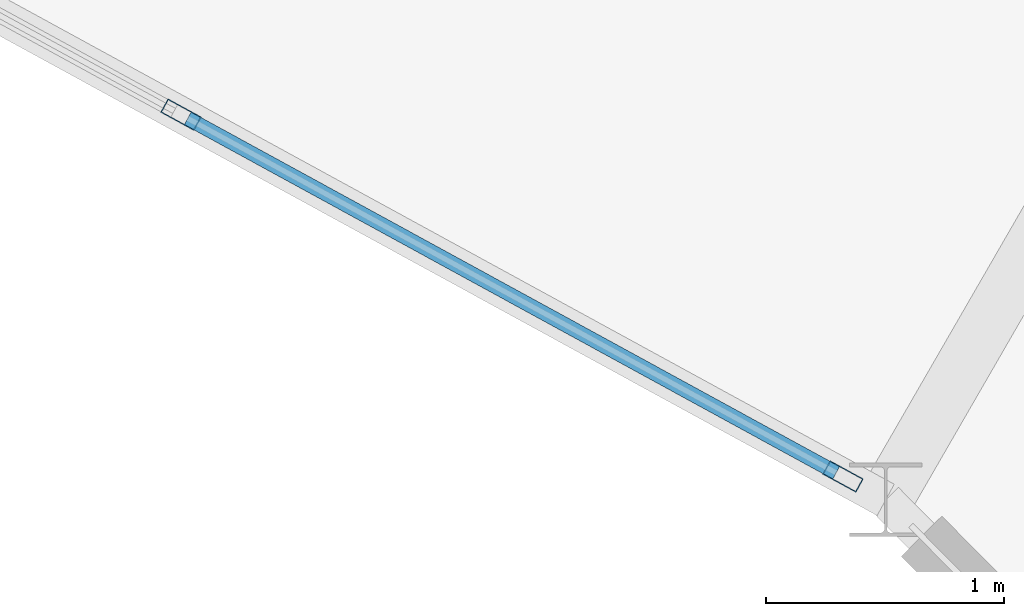
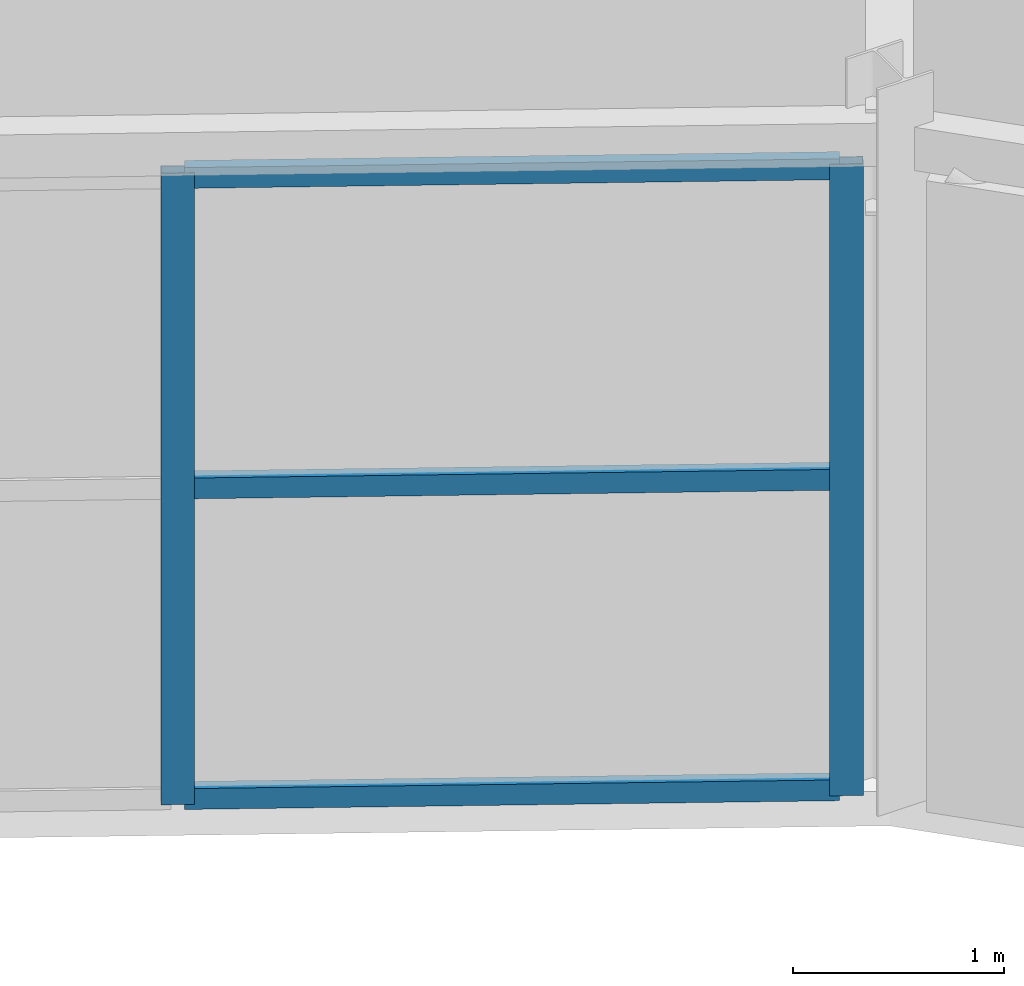
# One storey, part 81 of 148: 5 members, 1 element without a shape of its own.
"""IFC4 building model written with IfcOpenShell, lengths in metres."""

from ifc_helpers import new_model, si_unit, direction, frame, origin, origin_2d, place, context, subcontext, project, spatial, hollow_rectangle, extrude, material, material_profile, profile_set, type_object, element, aggregate, save


model = new_model("IFC4")

# Units and contexts
model_context = context("Model", 3, precision=1e-05, world=origin(), true_north=direction((0.0, 1.0)))
body_context = subcontext(model_context, "Body", "Model", "MODEL_VIEW")
ifc_project = project(units=[si_unit("LENGTHUNIT", "METRE"), si_unit("AREAUNIT", "SQUARE_METRE"), si_unit("VOLUMEUNIT", "CUBIC_METRE"), si_unit("PLANEANGLEUNIT", "RADIAN"), si_unit("MASSUNIT", "GRAM", prefix="KILO")], contexts=[model_context])

# Site, building, storey
site_placement = place(None, origin())
site = spatial("IfcSite", under=ifc_project, at=site_placement, CompositionType="ELEMENT")
building_placement = place(site_placement, origin())
building = spatial("IfcBuilding", under=site, at=building_placement, Name="Karori Crest Natural Sciences Institute", CompositionType="ELEMENT")
storey_placement = place(building_placement, frame((0.0, 0.0, 4.89990234375)))
storey = spatial("IfcBuildingStorey", under=building, at=storey_placement, Name="L01", CompositionType="ELEMENT", Elevation=4.89990234375)

# Curtain wall, members
ifc_material = material(Name="Anodised architectural aluminium 6063-T6", Category="aluminium")
curtain_wall_type = type_object("IfcCurtainWallType", Name="CWT-15", PredefinedType="NOTDEFINED", material=ifc_material)
curtain_wall_placement = place(storey_placement, origin())
curtain_wall = element("IfcCurtainWall", 1, at=curtain_wall_placement, inside=storey, type_object=curtain_wall_type, Name="Curtain wall CW-0037", PredefinedType="NOTDEFINED")
ifc_material_profile_1 = material_profile(ifc_material, hollow_rectangle(XDim=0.06494140625, YDim=0.159912109375, WallThickness=0.00390625, at=origin_2d()), Name="CWM160x65x4")
ifc_profile_set_1 = profile_set([ifc_material_profile_1], Name="Anodised architectural aluminium 6063-T6")
member_type_1 = type_object("IfcMemberType", Name="CWM-01", PredefinedType="MULLION", material=ifc_profile_set_1)
member_1_placement = place(storey_placement, frame((78.4208984375, 77.884033203125, 0.0), z_axis=(0.0, 0.0, 1.0), x_axis=(-0.479643389875, -0.877463514084, 0.0)))
member_1 = element("IfcMember", 2, at=member_1_placement, type_object=member_type_1, Name="CW-0037 mullion 1", PredefinedType="MULLION", context=body_context, shape_type="SweptSolid", body=[
    extrude(hollow_rectangle(XDim=0.06494140625, YDim=0.159912109375, WallThickness=0.00390625, at=origin_2d()), origin(), (0.0, 0.0, 1.0), 3.650146484375),
])
member_2_placement = place(storey_placement, frame((75.641357421875, 79.4033203125, 0.0), z_axis=(0.0, 0.0, 1.0), x_axis=(-0.479643389875, -0.877463514084, 0.0)))
member_2 = element("IfcMember", 3, at=member_2_placement, type_object=member_type_1, Name="CW-0037 mullion 2", PredefinedType="MULLION", context=body_context, shape_type="SweptSolid", body=[
    extrude(hollow_rectangle(XDim=0.06494140625, YDim=0.159912109375, WallThickness=0.00390625, at=origin_2d()), origin(), (0.0, 0.0, 1.0), 3.650146484375),
])
ifc_material_profile_2 = material_profile(ifc_material, hollow_rectangle(XDim=0.06005859375, YDim=0.1201171875, WallThickness=0.00390625, at=origin_2d()), Name="CWT120x60x4")
ifc_profile_set_2 = profile_set([ifc_material_profile_2], Name="Anodised architectural aluminium 6063-T6")
member_type_2 = type_object("IfcMemberType", Name="CWT-TR1", PredefinedType="USERDEFINED", material=ifc_profile_set_2)
member_3_placement = place(storey_placement, frame((78.392333984375, 77.899658203125, 0.030029296875), z_axis=(-0.877495326305, 0.479585187754, 0.0), x_axis=(-0.479585187754, -0.877495326305, 0.0)))
member_3 = element("IfcMember", 4, at=member_3_placement, type_object=member_type_2, Name="CW-0037 transom 1.1", ObjectType="TRANSOM", PredefinedType="USERDEFINED", context=body_context, shape_type="SweptSolid", body=[
    extrude(hollow_rectangle(XDim=0.06005859375, YDim=0.1201171875, WallThickness=0.00390625, at=origin_2d()), origin(), (0.0, 0.0, 1.0), 3.102783203125),
])
member_4_placement = place(storey_placement, frame((78.392333984375, 77.899658203125, 1.8251953125), z_axis=(-0.877495326305, 0.479585187754, 0.0), x_axis=(-0.479585187754, -0.877495326305, 0.0)))
member_4 = element("IfcMember", 5, at=member_4_placement, type_object=member_type_2, Name="CW-0037 transom 1.2", ObjectType="TRANSOM", PredefinedType="USERDEFINED", context=body_context, shape_type="SweptSolid", body=[
    extrude(hollow_rectangle(XDim=0.06005859375, YDim=0.1201171875, WallThickness=0.00390625, at=origin_2d()), origin(), (0.0, 0.0, 1.0), 3.102783203125),
])
member_5_placement = place(storey_placement, frame((78.392333984375, 77.899658203125, 3.6201171875), z_axis=(-0.877495326305, 0.479585187754, 0.0), x_axis=(-0.479585187754, -0.877495326305, 0.0)))
member_5 = element("IfcMember", 6, at=member_5_placement, type_object=member_type_2, Name="CW-0037 transom 1.3", ObjectType="TRANSOM", PredefinedType="USERDEFINED", context=body_context, shape_type="SweptSolid", body=[
    extrude(hollow_rectangle(XDim=0.06005859375, YDim=0.1201171875, WallThickness=0.00390625, at=origin_2d()), origin(), (0.0, 0.0, 1.0), 3.102783203125),
])
aggregate(curtain_wall, [member_1, member_2, member_3, member_4, member_5])

save(model, "model.ifc")
